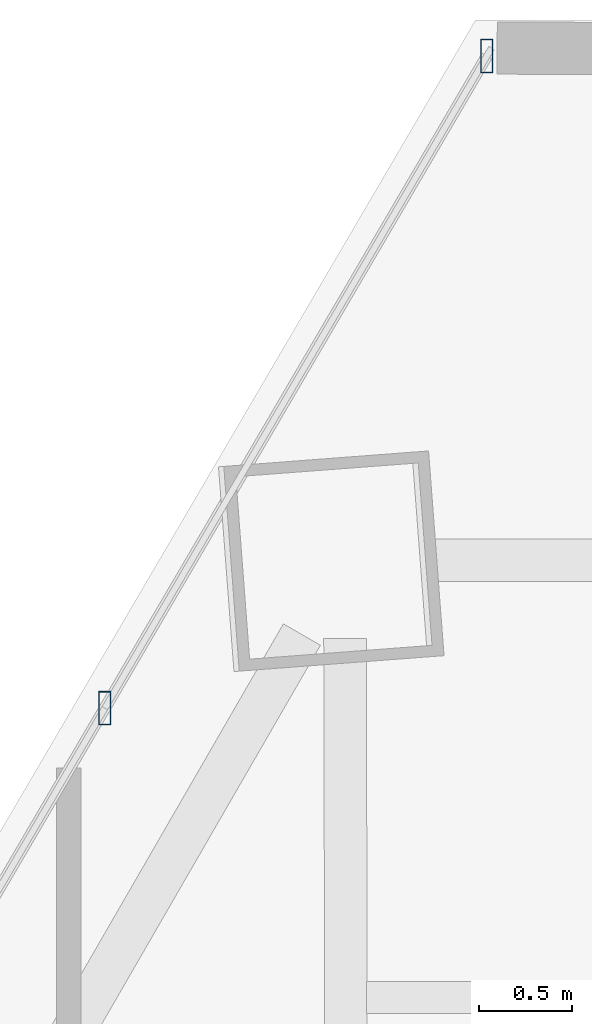
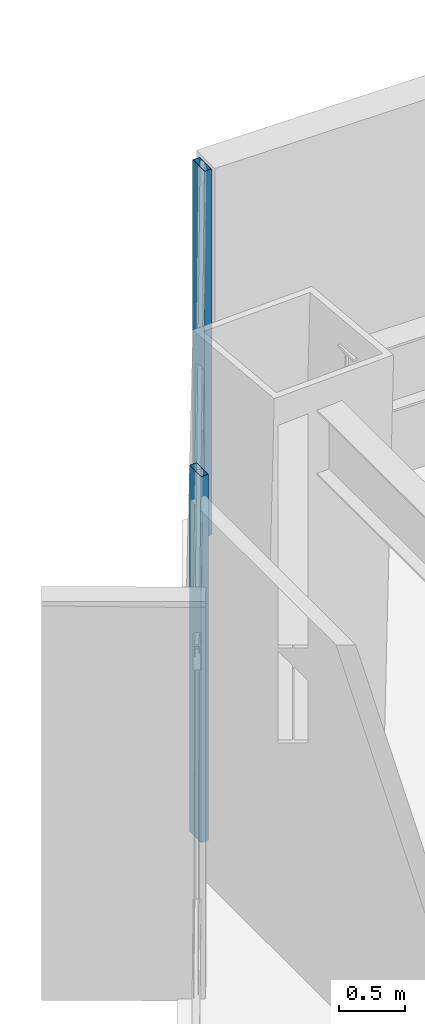
# One storey, part 26 of 35: 2 members, 1 element without a shape of its own.
"""IFC4 building model written with IfcOpenShell, lengths in metres."""

from ifc_helpers import new_model, si_unit, direction, frame, origin, origin_2d, place, context, subcontext, project, spatial, hollow_rectangle, extrude, source, transform, mapped, material, material_profile, profile_set, type_object, type_shapes, element, aggregate, save


model = new_model("IFC4")

# Units and contexts
model_context = context("Model", 3, precision=1e-05, world=origin(), true_north=direction((0.0, 1.0)))
body_context = subcontext(model_context, "Body", "Model", "MODEL_VIEW")
ifc_project = project(units=[si_unit("LENGTHUNIT", "METRE"), si_unit("AREAUNIT", "SQUARE_METRE"), si_unit("VOLUMEUNIT", "CUBIC_METRE"), si_unit("PLANEANGLEUNIT", "RADIAN"), si_unit("MASSUNIT", "GRAM", prefix="KILO")], contexts=[model_context])

# Site, building, storey
site_placement = place(None, origin())
site = spatial("IfcSite", under=ifc_project, at=site_placement, CompositionType="ELEMENT")
building_placement = place(site_placement, origin())
building = spatial("IfcBuilding", under=site, at=building_placement, Name="Caelisora Broadcast Tower", CompositionType="ELEMENT")
storey_placement = place(building_placement, frame((0.0, 0.0, 98.10009765625)))
storey = spatial("IfcBuildingStorey", under=building, at=storey_placement, Name="L25", CompositionType="ELEMENT", Elevation=98.10009765625)

# Curtain wall, members
ifc_material_1 = material(Name="Unitised Aluminium and Low-E Glass Curtain Wall", Category="glass")
curtain_wall_type = type_object("IfcCurtainWallType", Name="CW-Z2", PredefinedType="NOTDEFINED", material=ifc_material_1)
curtain_wall_placement = place(storey_placement, origin())
curtain_wall = element("IfcCurtainWall", 1, at=curtain_wall_placement, inside=storey, type_object=curtain_wall_type, Name="L25 curtain wall CW-Z2", PredefinedType="NOTDEFINED")
ifc_material_2 = material(Name="Aluminium 6063-T6 Anodised Terracotta Bronze", Category="aluminium")
ifc_material_profile = material_profile(ifc_material_2, hollow_rectangle(XDim=0.06494140625, YDim=0.179931640625, WallThickness=0.00341796875, at=origin_2d()), Name="Aluminium 6063-T6 Anodised Terracotta Bronze")
ifc_profile_set = profile_set([ifc_material_profile], Name="Aluminium 6063-T6 Anodised Terracotta Bronze")
member_type = type_object("IfcMemberType", Name="CWM-02", PredefinedType="MULLION", material=ifc_profile_set)
shared_shape = source(origin(), body_context, "Body", "SweptSolid", [
    extrude(hollow_rectangle(XDim=0.06494140625, YDim=0.179931640625, WallThickness=0.00341796875, at=origin_2d()), origin(), (0.0, 0.0, 1.0), 3.39990234375),
])
type_shapes(member_type, [shared_shape])
member_1_placement = place(storey_placement, frame((29.174072265625, 45.60986328125, 0.0), z_axis=(0.0, 0.0, 1.0), x_axis=(1.0, 0.0, 0.0)))
member_1 = element("IfcMember", 2, at=member_1_placement, type_object=member_type, Name="L25-CW-B11 mullion #2", PredefinedType="MULLION", context=body_context, shape_type="MappedRepresentation", body=[
    mapped(shared_shape, transform((0.0, 0.0, 0.0), scale=1.0)),
])
member_2_placement = place(storey_placement, frame((31.220703125, 49.10400390625, 0.0), z_axis=(0.0, 0.0, 1.0), x_axis=(1.0, 0.0, 0.0)))
member_2 = element("IfcMember", 3, at=member_2_placement, type_object=member_type, Name="L25-CW-B11 mullion #3", PredefinedType="MULLION", context=body_context, shape_type="MappedRepresentation", body=[
    mapped(shared_shape, transform((0.0, 0.0, 0.0), scale=1.0)),
])
aggregate(curtain_wall, [member_1, member_2])

save(model, "model.ifc")
